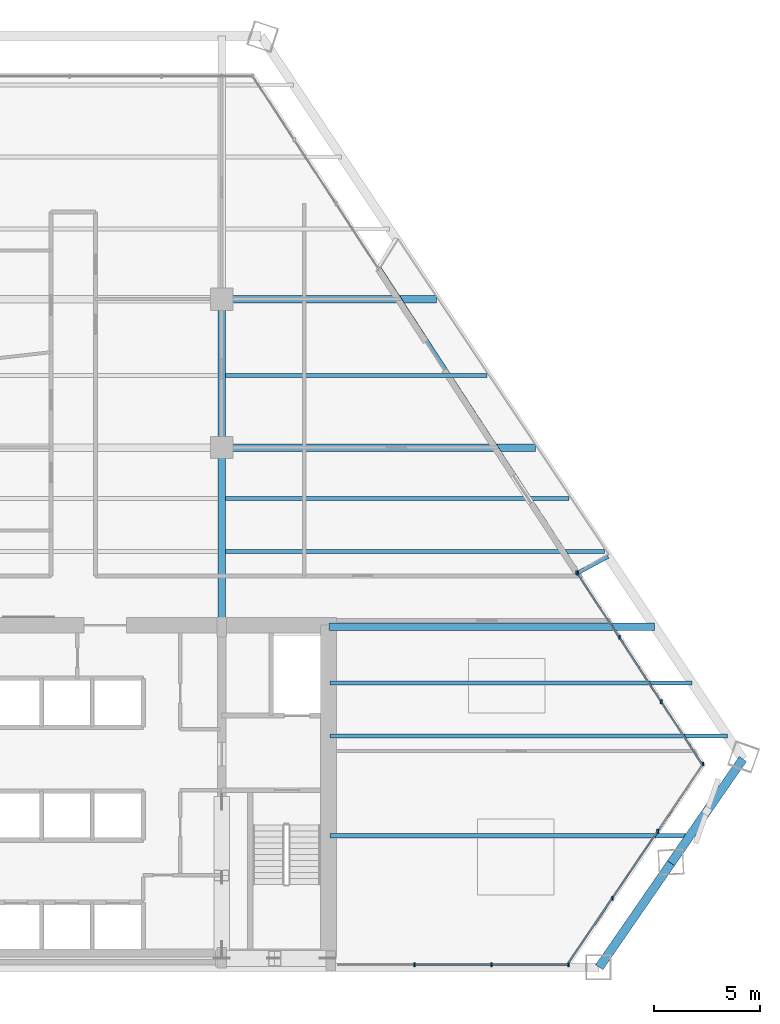
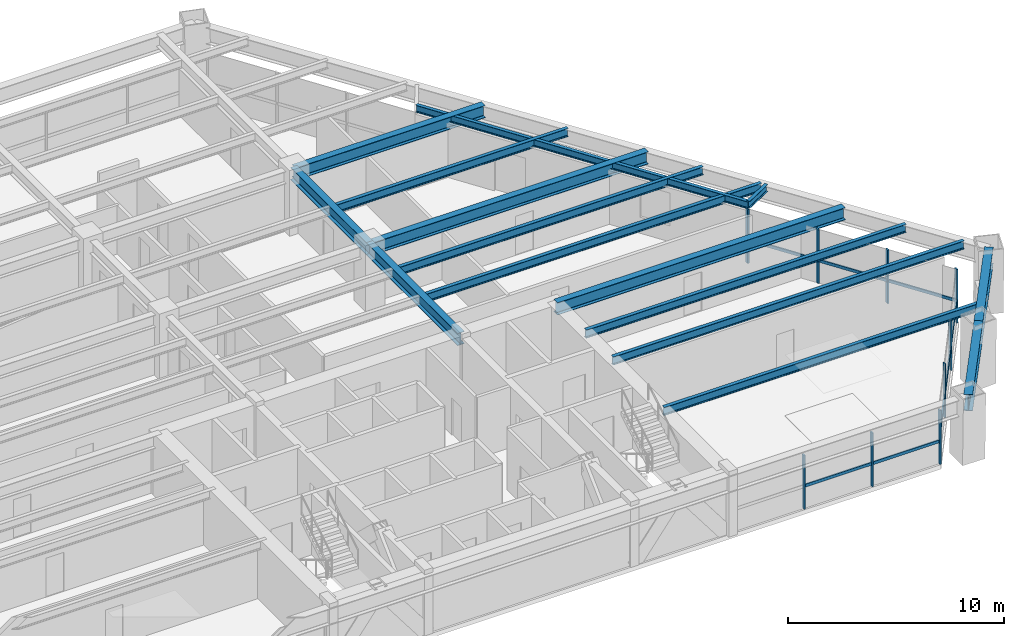
# One storey, part 6 of 14: 18 members, 15 beams, 3 elements without a shape of their own.
"""IFC4 building model written with IfcOpenShell, lengths in metres."""

from ifc_helpers import new_model, si_unit, direction, frame, origin, origin_2d, place, context, subcontext, project, spatial, rectangle, i_section, extrude, source, transform, mapped, material, material_profile, profile_set, type_object, type_shapes, element, aggregate, save


model = new_model("IFC4")

# Units and contexts
model_context = context("Model", 3, precision=1e-05, world=origin(), true_north=direction((0.0, 1.0)))
body_context = subcontext(model_context, "Body", "Model", "MODEL_VIEW")
ifc_project = project(units=[si_unit("LENGTHUNIT", "METRE"), si_unit("AREAUNIT", "SQUARE_METRE"), si_unit("VOLUMEUNIT", "CUBIC_METRE"), si_unit("PLANEANGLEUNIT", "RADIAN"), si_unit("MASSUNIT", "GRAM", prefix="KILO")], contexts=[model_context])

# Site, building, storey
site_placement = place(None, origin())
site = spatial("IfcSite", under=ifc_project, at=site_placement, CompositionType="ELEMENT")
building_placement = place(site_placement, origin())
building = spatial("IfcBuilding", under=site, at=building_placement, Name="Varnakhor Terracotta Tower", CompositionType="ELEMENT")
storey_placement = place(building_placement, frame((0.0, 0.0, 80.300048828125)))
storey = spatial("IfcBuildingStorey", under=building, at=storey_placement, Name="L19", CompositionType="ELEMENT", Elevation=80.300048828125)

# Beams
ifc_material_1 = material(Name="Steel S355", Category="steel")
ifc_material_profile_1 = material_profile(ifc_material_1, i_section(OverallWidth=0.35498046875, OverallDepth=0.695068359375, WebThickness=0.014892578125, FlangeThickness=0.02490234375, FilletRadius=0.01806640625, at=origin_2d()), Name="W27X146")
ifc_profile_set_1 = profile_set([ifc_material_profile_1], Name="Steel S355")
beam_type_1 = type_object("IfcBeamType", Name="BM-W27X146", PredefinedType="BEAM", material=ifc_profile_set_1)
shared_shape_1 = source(origin(), body_context, "Body", "SweptSolid", [
    extrude(i_section(OverallWidth=0.35498046875, OverallDepth=0.695068359375, WebThickness=0.014892578125, FlangeThickness=0.02490234375, FilletRadius=0.01806640625, at=origin_2d()), origin(), (0.0, 0.0, 1.0), 8.449951171875),
])
type_shapes(beam_type_1, [shared_shape_1])
beam_1_placement = place(storey_placement, frame((5.5, 16.050048828125, 3.1025390625), z_axis=(0.0, 1.0, 0.0), x_axis=(-1.0, 0.0, 0.0)))
element("IfcBeam", 1, at=beam_1_placement, inside=storey, type_object=beam_type_1, Name="L19 Primary Girder NS1-E", PredefinedType="BEAM", context=body_context, shape_type="MappedRepresentation", body=[
    mapped(shared_shape_1, transform((0.0, 0.0, 0.0), scale=1.0)),
])
shared_shape_2 = source(origin(), body_context, "Body", "SweptSolid", [
    extrude(i_section(OverallWidth=0.35498046875, OverallDepth=0.695068359375, WebThickness=0.014892578125, FlangeThickness=0.02490234375, FilletRadius=0.01806640625, at=origin_2d()), origin(), (0.0, 0.0, 1.0), 7.0),
])
beam_2_placement = place(storey_placement, frame((5.5, 24.5, 3.1025390625), z_axis=(0.0, 1.0, 0.0), x_axis=(-1.0, 0.0, 0.0)))
element("IfcBeam", 2, at=beam_2_placement, inside=storey, type_object=beam_type_1, Name="L19 Primary Girder NS2-E", PredefinedType="BEAM", context=body_context, shape_type="MappedRepresentation", body=[
    mapped(shared_shape_2, transform((0.0, 0.0, 0.0), scale=1.0)),
])
ifc_material_profile_2 = material_profile(ifc_material_1, i_section(OverallWidth=0.41796875, OverallDepth=0.927001953125, WebThickness=0.01904296875, FlangeThickness=0.031982421875, FilletRadius=0.01806640625, at=origin_2d()), Name="W36X231")
ifc_profile_set_2 = profile_set([ifc_material_profile_2], Name="Steel S355")
beam_type_2 = type_object("IfcBeamType", Name="BM-W36X231", PredefinedType="BEAM", material=ifc_profile_set_2)
shared_shape_3 = source(origin(), body_context, "Body", "SweptSolid", [
    extrude(i_section(OverallWidth=0.41796875, OverallDepth=0.927001953125, WebThickness=0.01904296875, FlangeThickness=0.031982421875, FilletRadius=0.01806640625, at=origin_2d()), origin(), (0.0, 0.0, 1.0), 5.963134765625),
])
for number, where, z_axis, x_axis, name in (
    (3, (23.297607421875, 0.0, 2.986572265625), (0.567708079951, 0.823229941121, 0.0), (-0.823229941121, 0.567708079951, 0.0), "L19 Perimeter Spandrel 2"),
    (4, (26.682861328125, 4.908935546875, 2.986572265625), (0.567708079951, 0.823229941121, 0.0), (-0.823229941121, 0.567708079951, 0.0), "L19 Perimeter Spandrel 3"),
):
    element("IfcBeam", number, at=place(storey_placement, frame(where, z_axis=z_axis, x_axis=x_axis)), inside=storey, type_object=beam_type_2, Name=name, PredefinedType="BEAM", context=body_context, shape_type="MappedRepresentation", body=[
        mapped(shared_shape_3, transform((0.0, 0.0, 0.0), scale=1.0)),
    ])
ifc_material_profile_3 = material_profile(ifc_material_1, i_section(OverallWidth=0.179931640625, OverallDepth=0.39990234375, WebThickness=0.008544921875, FlangeThickness=0.013427734375, FilletRadius=0.01806640625, at=origin_2d()), Name="IPE400")
ifc_profile_set_3 = profile_set([ifc_material_profile_3], Name="Steel S355")
beam_type_3 = type_object("IfcBeamType", Name="JST-IPE400", PredefinedType="JOIST", material=ifc_profile_set_3)
shared_shape_4 = source(origin(), body_context, "Body", "SweptSolid", [
    extrude(i_section(OverallWidth=0.179931640625, OverallDepth=0.39990234375, WebThickness=0.008544921875, FlangeThickness=0.013427734375, FilletRadius=0.01806640625, at=origin_2d()), origin(), (0.0, 0.0, 1.0), 17.187255859375),
])
beam_3_placement = place(storey_placement, frame((22.297119140625, 18.5908203125, 3.25), z_axis=(-0.545943631237, 0.837821909186, 0.0), x_axis=(-0.837821909186, -0.545943631237, 0.0)))
element("IfcBeam", 5, at=beam_3_placement, inside=storey, type_object=beam_type_3, Name="L19 Loggia Edge Beam 1", PredefinedType="JOIST", context=body_context, shape_type="MappedRepresentation", body=[
    mapped(shared_shape_4, transform((0.0, 0.0, 0.0), scale=1.0)),
])
shared_shape_5 = source(origin(), body_context, "Body", "SweptSolid", [
    extrude(i_section(OverallWidth=0.35498046875, OverallDepth=0.695068359375, WebThickness=0.014892578125, FlangeThickness=0.02490234375, FilletRadius=0.01806640625, at=origin_2d()), origin(), (0.0, 0.0, 1.0), 15.364990234375),
])
beam_4_placement = place(storey_placement, frame((10.550048828125, 16.050048828125, 3.1025390625), z_axis=(1.0, 0.0, 0.0), x_axis=(0.0, 1.0, 0.0)))
element("IfcBeam", 6, at=beam_4_placement, inside=storey, type_object=beam_type_1, Name="L19 Wing Girder E", PredefinedType="BEAM", context=body_context, shape_type="MappedRepresentation", body=[
    mapped(shared_shape_5, transform((0.0, 0.0, 0.0), scale=1.0)),
])
shared_shape_6 = source(origin(), body_context, "Body", "SweptSolid", [
    extrude(i_section(OverallWidth=0.35498046875, OverallDepth=0.695068359375, WebThickness=0.014892578125, FlangeThickness=0.02490234375, FilletRadius=0.01806640625, at=origin_2d()), origin(), (0.0, 0.0, 1.0), 14.783935546875),
])
beam_5_placement = place(storey_placement, frame((5.5, 24.5, 3.1025390625), z_axis=(1.0, 0.0, 0.0), x_axis=(0.0, 1.0, 0.0)))
element("IfcBeam", 7, at=beam_5_placement, inside=storey, type_object=beam_type_1, Name="L19 Primary Girder EW2-3", PredefinedType="BEAM", context=body_context, shape_type="MappedRepresentation", body=[
    mapped(shared_shape_6, transform((0.0, 0.0, 0.0), scale=1.0)),
])
shared_shape_7 = source(origin(), body_context, "Body", "SweptSolid", [
    extrude(i_section(OverallWidth=0.35498046875, OverallDepth=0.695068359375, WebThickness=0.014892578125, FlangeThickness=0.02490234375, FilletRadius=0.01806640625, at=origin_2d()), origin(), (0.0, 0.0, 1.0), 10.119140625),
])
beam_6_placement = place(storey_placement, frame((5.5, 31.5, 3.1025390625), z_axis=(1.0, 0.0, 0.0), x_axis=(0.0, 1.0, 0.0)))
element("IfcBeam", 8, at=beam_6_placement, inside=storey, type_object=beam_type_1, Name="L19 Primary Girder EW3-3", PredefinedType="BEAM", context=body_context, shape_type="MappedRepresentation", body=[
    mapped(shared_shape_7, transform((0.0, 0.0, 0.0), scale=1.0)),
])
ifc_material_profile_4 = material_profile(ifc_material_1, i_section(OverallWidth=0.19189453125, OverallDepth=0.462890625, WebThickness=0.010498046875, FlangeThickness=0.017578125, FilletRadius=0.01806640625, at=origin_2d()), Name="W18X60")
ifc_profile_set_4 = profile_set([ifc_material_profile_4], Name="Steel S355")
beam_type_4 = type_object("IfcBeamType", Name="JST-W18X60", PredefinedType="JOIST", material=ifc_profile_set_4)
shared_shape_8 = source(origin(), body_context, "Body", "SweptSolid", [
    extrude(i_section(OverallWidth=0.19189453125, OverallDepth=0.462890625, WebThickness=0.010498046875, FlangeThickness=0.017578125, FilletRadius=0.01806640625, at=origin_2d()), origin(), (0.0, 0.0, 1.0), 16.97314453125),
])
beam_7_placement = place(storey_placement, frame((10.60009765625, 6.199951171875, 3.218505859375), z_axis=(1.0, 0.0, 0.0), x_axis=(0.0, 1.0, 0.0)))
element("IfcBeam", 9, at=beam_7_placement, inside=storey, type_object=beam_type_4, Name="L19 Floor Joist E1", PredefinedType="JOIST", context=body_context, shape_type="MappedRepresentation", body=[
    mapped(shared_shape_8, transform((0.0, 0.0, 0.0), scale=1.0)),
])
shared_shape_9 = source(origin(), body_context, "Body", "SweptSolid", [
    extrude(i_section(OverallWidth=0.19189453125, OverallDepth=0.462890625, WebThickness=0.010498046875, FlangeThickness=0.017578125, FilletRadius=0.01806640625, at=origin_2d()), origin(), (0.0, 0.0, 1.0), 18.746826171875),
])
beam_8_placement = place(storey_placement, frame((10.60009765625, 10.89990234375, 3.218505859375), z_axis=(1.0, 0.0, 0.0), x_axis=(0.0, 1.0, 0.0)))
element("IfcBeam", 10, at=beam_8_placement, inside=storey, type_object=beam_type_4, Name="L19 Floor Joist E2", PredefinedType="JOIST", context=body_context, shape_type="MappedRepresentation", body=[
    mapped(shared_shape_9, transform((0.0, 0.0, 0.0), scale=1.0)),
])
shared_shape_10 = source(origin(), body_context, "Body", "SweptSolid", [
    extrude(i_section(OverallWidth=0.19189453125, OverallDepth=0.462890625, WebThickness=0.010498046875, FlangeThickness=0.017578125, FilletRadius=0.01806640625, at=origin_2d()), origin(), (0.0, 0.0, 1.0), 17.080810546875),
])
beam_9_placement = place(storey_placement, frame((10.60009765625, 13.39990234375, 3.218505859375), z_axis=(1.0, 0.0, 0.0), x_axis=(0.0, 1.0, 0.0)))
element("IfcBeam", 11, at=beam_9_placement, inside=storey, type_object=beam_type_4, Name="L19 Floor Joist E3", PredefinedType="JOIST", context=body_context, shape_type="MappedRepresentation", body=[
    mapped(shared_shape_10, transform((0.0, 0.0, 0.0), scale=1.0)),
])
shared_shape_11 = source(origin(), body_context, "Body", "SweptSolid", [
    extrude(i_section(OverallWidth=0.19189453125, OverallDepth=0.462890625, WebThickness=0.010498046875, FlangeThickness=0.017578125, FilletRadius=0.01806640625, at=origin_2d()), origin(), (0.0, 0.0, 1.0), 17.875732421875),
])
beam_10_placement = place(storey_placement, frame((5.673583984375, 19.60009765625, 3.218505859375), z_axis=(1.0, 0.0, 0.0), x_axis=(0.0, 1.0, 0.0)))
element("IfcBeam", 12, at=beam_10_placement, inside=storey, type_object=beam_type_4, Name="L19 Composite Floor Joist 4-3", PredefinedType="JOIST", context=body_context, shape_type="MappedRepresentation", body=[
    mapped(shared_shape_11, transform((0.0, 0.0, 0.0), scale=1.0)),
])
shared_shape_12 = source(origin(), body_context, "Body", "SweptSolid", [
    extrude(i_section(OverallWidth=0.19189453125, OverallDepth=0.462890625, WebThickness=0.010498046875, FlangeThickness=0.017578125, FilletRadius=0.01806640625, at=origin_2d()), origin(), (0.0, 0.0, 1.0), 16.209716796875),
])
beam_11_placement = place(storey_placement, frame((5.673583984375, 22.10009765625, 3.218505859375), z_axis=(1.0, 0.0, 0.0), x_axis=(0.0, 1.0, 0.0)))
element("IfcBeam", 13, at=beam_11_placement, inside=storey, type_object=beam_type_4, Name="L19 Composite Floor Joist 5-3", PredefinedType="JOIST", context=body_context, shape_type="MappedRepresentation", body=[
    mapped(shared_shape_12, transform((0.0, 0.0, 0.0), scale=1.0)),
])
shared_shape_13 = source(origin(), body_context, "Body", "SweptSolid", [
    extrude(i_section(OverallWidth=0.19189453125, OverallDepth=0.462890625, WebThickness=0.010498046875, FlangeThickness=0.017578125, FilletRadius=0.01806640625, at=origin_2d()), origin(), (0.0, 0.0, 1.0), 12.344482421875),
])
beam_12_placement = place(storey_placement, frame((5.673583984375, 27.89990234375, 3.218505859375), z_axis=(1.0, 0.0, 0.0), x_axis=(0.0, 1.0, 0.0)))
element("IfcBeam", 14, at=beam_12_placement, inside=storey, type_object=beam_type_4, Name="L19 Composite Floor Joist 6-3", PredefinedType="JOIST", context=body_context, shape_type="MappedRepresentation", body=[
    mapped(shared_shape_13, transform((0.0, 0.0, 0.0), scale=1.0)),
])

# Curtain wall, members
ifc_material_2 = material(Name="Anodised Aluminium Curtain Wall System", Category="aluminium")
curtain_wall_type = type_object("IfcCurtainWallType", Name="CW-SYS-LOW-OFFICE", PredefinedType="NOTDEFINED", material=ifc_material_2)
curtain_wall_1_placement = place(storey_placement, origin())
curtain_wall_1 = element("IfcCurtainWall", 15, at=curtain_wall_1_placement, inside=storey, type_object=curtain_wall_type, Name="L19 E Facet Curtain Wall 2", PredefinedType="NOTDEFINED")
ifc_material_3 = material(Name="Anodised Aluminium 6063-T6", Category="aluminium")
ifc_material_profile_5 = material_profile(ifc_material_3, rectangle(XDim=0.074951171875, YDim=0.18505859375, at=origin_2d()), Name="ALU MULLION 75x185")
ifc_profile_set_5 = profile_set([ifc_material_profile_5], Name="Anodised Aluminium 6063-T6")
member_type_1 = type_object("IfcMemberType", Name="CWM-02", PredefinedType="MULLION", material=ifc_profile_set_5)
shared_shape_14 = source(origin(), body_context, "Body", "SweptSolid", [
    extrude(rectangle(XDim=0.074951171875, YDim=0.18505859375, at=origin_2d()), origin(), (0.0, 0.0, 1.0), 3.030029296875),
])
type_shapes(member_type_1, [shared_shape_14])
member_1_placement = place(storey_placement, frame((22.27001953125, 18.576416015625, 0.0), z_axis=(0.0, 0.0, 1.0), x_axis=(1.0, 0.0, 0.0)))
member_1 = element("IfcMember", 16, at=member_1_placement, type_object=member_type_1, Name="L19 E Facet Curtain Wall 2 Mullion 1", PredefinedType="MULLION", context=body_context, shape_type="MappedRepresentation", body=[
    mapped(shared_shape_14, transform((0.0, 0.0, 0.0), scale=1.0)),
])
member_2_placement = place(storey_placement, frame((24.245849609375, 15.551513671875, 0.0), z_axis=(0.0, 0.0, 1.0), x_axis=(1.0, 0.0, 0.0)))
member_2 = element("IfcMember", 17, at=member_2_placement, type_object=member_type_1, Name="L19 E Facet Curtain Wall 2 Mullion 2", PredefinedType="MULLION", context=body_context, shape_type="MappedRepresentation", body=[
    mapped(shared_shape_14, transform((0.0, 0.0, 0.0), scale=1.0)),
])
member_3_placement = place(storey_placement, frame((26.2216796875, 12.52685546875, 0.0), z_axis=(0.0, 0.0, 1.0), x_axis=(1.0, 0.0, 0.0)))
member_3 = element("IfcMember", 18, at=member_3_placement, type_object=member_type_1, Name="L19 E Facet Curtain Wall 2 Mullion 3", PredefinedType="MULLION", context=body_context, shape_type="MappedRepresentation", body=[
    mapped(shared_shape_14, transform((0.0, 0.0, 0.0), scale=1.0)),
])
member_4_placement = place(storey_placement, frame((22.23681640625, 18.590576171875, 0.0), z_axis=(0.0, 0.0, 1.0), x_axis=(1.0, 0.0, 0.0)))
member_4 = element("IfcMember", 19, at=member_4_placement, type_object=member_type_1, Name="L19 E Loggia Jamb Closure Mullion 2", PredefinedType="MULLION", context=body_context, shape_type="MappedRepresentation", body=[
    mapped(shared_shape_14, transform((0.0, 0.0, 0.0), scale=1.0)),
])

curtain_wall_2_placement = place(storey_placement, origin())
curtain_wall_2 = element("IfcCurtainWall", 20, at=curtain_wall_2_placement, inside=storey, type_object=curtain_wall_type, Name="L19 Facet Curtain Wall 4", PredefinedType="NOTDEFINED")
member_5_placement = place(storey_placement, frame((28.197998046875, 9.5849609375, 0.0), z_axis=(0.0, 0.0, 1.0), x_axis=(1.0, 0.0, 0.0)))
member_5 = element("IfcMember", 21, at=member_5_placement, type_object=member_type_1, Name="L19 Facet Curtain Wall 4 Mullion 1", PredefinedType="MULLION", context=body_context, shape_type="MappedRepresentation", body=[
    mapped(shared_shape_14, transform((0.0, 0.0, 0.0), scale=1.0)),
])
member_6_placement = place(storey_placement, frame((26.056884765625, 6.420654296875, 0.0), z_axis=(0.0, 0.0, 1.0), x_axis=(1.0, 0.0, 0.0)))
member_6 = element("IfcMember", 22, at=member_6_placement, type_object=member_type_1, Name="L19 Facet Curtain Wall 4 Mullion 2", PredefinedType="MULLION", context=body_context, shape_type="MappedRepresentation", body=[
    mapped(shared_shape_14, transform((0.0, 0.0, 0.0), scale=1.0)),
])
member_7_placement = place(storey_placement, frame((23.915771484375, 3.25634765625, 0.0), z_axis=(0.0, 0.0, 1.0), x_axis=(1.0, 0.0, 0.0)))
member_7 = element("IfcMember", 23, at=member_7_placement, type_object=member_type_1, Name="L19 Facet Curtain Wall 4 Mullion 3", PredefinedType="MULLION", context=body_context, shape_type="MappedRepresentation", body=[
    mapped(shared_shape_14, transform((0.0, 0.0, 0.0), scale=1.0)),
])

curtain_wall_3_placement = place(storey_placement, origin())
curtain_wall_3 = element("IfcCurtainWall", 24, at=curtain_wall_3_placement, inside=storey, type_object=curtain_wall_type, Name="L19 South Wing Curtain Wall SSE", PredefinedType="NOTDEFINED")
member_8_placement = place(storey_placement, frame((21.84716796875, 0.1201171875, 0.0), z_axis=(0.0, 0.0, 1.0), x_axis=(1.0, 0.0, 0.0)))
member_8 = element("IfcMember", 25, at=member_8_placement, type_object=member_type_1, Name="L19 South Wing Curtain Wall SSE Mullion 1", PredefinedType="MULLION", context=body_context, shape_type="MappedRepresentation", body=[
    mapped(shared_shape_14, transform((0.0, 0.0, 0.0), scale=1.0)),
])
member_9_placement = place(storey_placement, frame((18.221435546875, 0.1201171875, 0.0), z_axis=(0.0, 0.0, 1.0), x_axis=(1.0, 0.0, 0.0)))
member_9 = element("IfcMember", 26, at=member_9_placement, type_object=member_type_1, Name="L19 South Wing Curtain Wall SSE Mullion 2", PredefinedType="MULLION", context=body_context, shape_type="MappedRepresentation", body=[
    mapped(shared_shape_14, transform((0.0, 0.0, 0.0), scale=1.0)),
])
member_10_placement = place(storey_placement, frame((14.595703125, 0.1201171875, 0.0), z_axis=(0.0, 0.0, 1.0), x_axis=(1.0, 0.0, 0.0)))
member_10 = element("IfcMember", 27, at=member_10_placement, type_object=member_type_1, Name="L19 South Wing Curtain Wall SSE Mullion 3", PredefinedType="MULLION", context=body_context, shape_type="MappedRepresentation", body=[
    mapped(shared_shape_14, transform((0.0, 0.0, 0.0), scale=1.0)),
])

# Member
ifc_material_profile_6 = material_profile(ifc_material_3, rectangle(XDim=0.074951171875, YDim=0.1650390625, at=origin_2d()), Name="ALU TRANSOM 75x165")
ifc_profile_set_6 = profile_set([ifc_material_profile_6], Name="Anodised Aluminium 6063-T6")
member_type_2 = type_object("IfcMemberType", Name="CWT-02", PredefinedType="USERDEFINED", material=ifc_profile_set_6)
shared_shape_15 = source(origin(), body_context, "Body", "SweptSolid", [
    extrude(rectangle(XDim=0.074951171875, YDim=0.1650390625, at=origin_2d()), origin(), (0.0, 0.0, 1.0), 3.613037109375),
])
member_11_placement = place(storey_placement, frame((22.27001953125, 18.576416015625, 1.2724609375), z_axis=(0.546863336915, -0.837221888592, 0.0), x_axis=(0.837221888592, 0.546863336915, 0.0)))
member_11 = element("IfcMember", 28, at=member_11_placement, type_object=member_type_2, Name="L19 E Facet Curtain Wall 2 Transom 1", ObjectType="TRANSOM", PredefinedType="USERDEFINED", context=body_context, shape_type="MappedRepresentation", body=[
    mapped(shared_shape_15, transform((0.0, 0.0, 0.0), scale=1.0)),
])

shared_shape_16 = source(origin(), body_context, "Body", "SweptSolid", [
    extrude(rectangle(XDim=0.074951171875, YDim=0.1650390625, at=origin_2d()), origin(), (0.0, 0.0, 1.0), 3.61279296875),
])
member_12_placement = place(storey_placement, frame((24.245849609375, 15.551513671875, 1.2724609375), z_axis=(0.546894276037, -0.837201678712, 0.0), x_axis=(0.837201678712, 0.546894276037, 0.0)))
member_12 = element("IfcMember", 29, at=member_12_placement, type_object=member_type_2, Name="L19 E Facet Curtain Wall 2 Transom 2", ObjectType="TRANSOM", PredefinedType="USERDEFINED", context=body_context, shape_type="MappedRepresentation", body=[
    mapped(shared_shape_16, transform((0.0, 0.0, 0.0), scale=1.0)),
])

member_13_placement = place(storey_placement, frame((26.2216796875, 12.52685546875, 1.2724609375), z_axis=(0.546894276037, -0.837201678712, 0.0), x_axis=(0.837201678712, 0.546894276037, 0.0)))
member_13 = element("IfcMember", 30, at=member_13_placement, type_object=member_type_2, Name="L19 E Facet Curtain Wall 2 Transom 3", ObjectType="TRANSOM", PredefinedType="USERDEFINED", context=body_context, shape_type="MappedRepresentation", body=[
    mapped(shared_shape_16, transform((0.0, 0.0, 0.0), scale=1.0)),
])

aggregate(curtain_wall_1, [member_1, member_11, member_2, member_12, member_3, member_13, member_4])

shared_shape_17 = source(origin(), body_context, "Body", "SweptSolid", [
    extrude(rectangle(XDim=0.074951171875, YDim=0.1650390625, at=origin_2d()), origin(), (0.0, 0.0, 1.0), 3.820556640625),
])
member_14_placement = place(storey_placement, frame((28.197998046875, 9.5849609375, 1.2724609375), z_axis=(-0.560408646697, -0.828216245136, 0.0), x_axis=(0.828216245136, -0.560408646697, 0.0)))
member_14 = element("IfcMember", 31, at=member_14_placement, type_object=member_type_2, Name="L19 Facet Curtain Wall 4 Transom 1", ObjectType="TRANSOM", PredefinedType="USERDEFINED", context=body_context, shape_type="MappedRepresentation", body=[
    mapped(shared_shape_17, transform((0.0, 0.0, 0.0), scale=1.0)),
])

member_15_placement = place(storey_placement, frame((26.056884765625, 6.420654296875, 1.2724609375), z_axis=(-0.560408646697, -0.828216245136, 0.0), x_axis=(0.828216245136, -0.560408646697, 0.0)))
member_15 = element("IfcMember", 32, at=member_15_placement, type_object=member_type_2, Name="L19 Facet Curtain Wall 4 Transom 2", ObjectType="TRANSOM", PredefinedType="USERDEFINED", context=body_context, shape_type="MappedRepresentation", body=[
    mapped(shared_shape_17, transform((0.0, 0.0, 0.0), scale=1.0)),
])

member_16_placement = place(storey_placement, frame((23.915771484375, 3.25634765625, 1.2724609375), z_axis=(-0.560408646697, -0.828216245136, 0.0), x_axis=(0.828216245136, -0.560408646697, 0.0)))
member_16 = element("IfcMember", 33, at=member_16_placement, type_object=member_type_2, Name="L19 Facet Curtain Wall 4 Transom 3", ObjectType="TRANSOM", PredefinedType="USERDEFINED", context=body_context, shape_type="MappedRepresentation", body=[
    mapped(shared_shape_17, transform((0.0, 0.0, 0.0), scale=1.0)),
])

aggregate(curtain_wall_2, [member_5, member_14, member_6, member_15, member_7, member_16])

shared_shape_18 = source(origin(), body_context, "Body", "SweptSolid", [
    extrude(rectangle(XDim=0.074951171875, YDim=0.1650390625, at=origin_2d()), origin(), (0.0, 0.0, 1.0), 3.625732421875),
])
member_17_placement = place(storey_placement, frame((21.84716796875, 0.1201171875, 1.2724609375), z_axis=(-1.0, 0.0, 0.0), x_axis=(0.0, -1.0, 0.0)))
member_17 = element("IfcMember", 34, at=member_17_placement, type_object=member_type_2, Name="L19 South Wing Curtain Wall SSE Transom 1", ObjectType="TRANSOM", PredefinedType="USERDEFINED", context=body_context, shape_type="MappedRepresentation", body=[
    mapped(shared_shape_18, transform((0.0, 0.0, 0.0), scale=1.0)),
])

member_18_placement = place(storey_placement, frame((18.221435546875, 0.1201171875, 1.2724609375), z_axis=(-1.0, 0.0, 0.0), x_axis=(0.0, -1.0, 0.0)))
member_18 = element("IfcMember", 35, at=member_18_placement, type_object=member_type_2, Name="L19 South Wing Curtain Wall SSE Transom 2", ObjectType="TRANSOM", PredefinedType="USERDEFINED", context=body_context, shape_type="MappedRepresentation", body=[
    mapped(shared_shape_18, transform((0.0, 0.0, 0.0), scale=1.0)),
])

aggregate(curtain_wall_3, [member_8, member_17, member_9, member_18, member_10])

# Beam
shared_shape_19 = source(origin(), body_context, "Body", "SweptSolid", [
    extrude(i_section(OverallWidth=0.179931640625, OverallDepth=0.39990234375, WebThickness=0.008544921875, FlangeThickness=0.013427734375, FilletRadius=0.01806640625, at=origin_2d()), origin(), (0.0, 0.0, 1.0), 1.60791015625),
])
beam_13_placement = place(storey_placement, frame((22.297119140625, 18.5908203125, 3.25), z_axis=(0.877622702692, 0.479352054048, 0.0), x_axis=(-0.479352054048, 0.877622702692, 0.0)))
element("IfcBeam", 36, at=beam_13_placement, inside=storey, type_object=beam_type_3, Name="L20 E Loggia Tie Beam 2", PredefinedType="JOIST", context=body_context, shape_type="MappedRepresentation", body=[
    mapped(shared_shape_19, transform((0.0, 0.0, 0.0), scale=1.0)),
])

save(model, "model.ifc")
